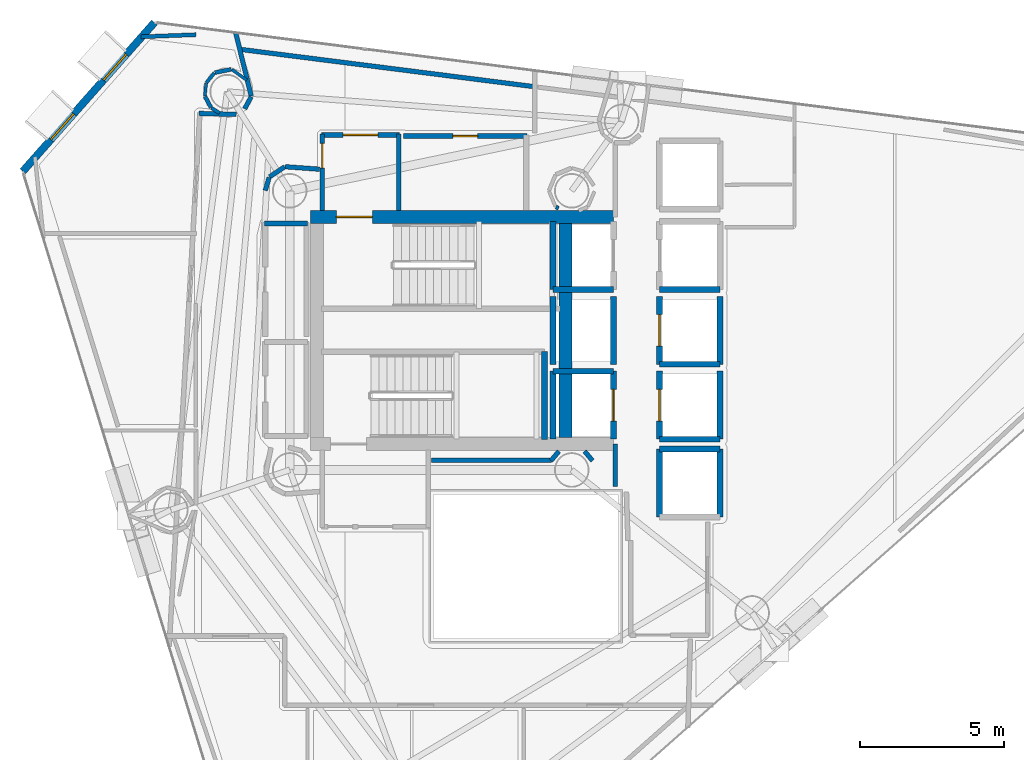
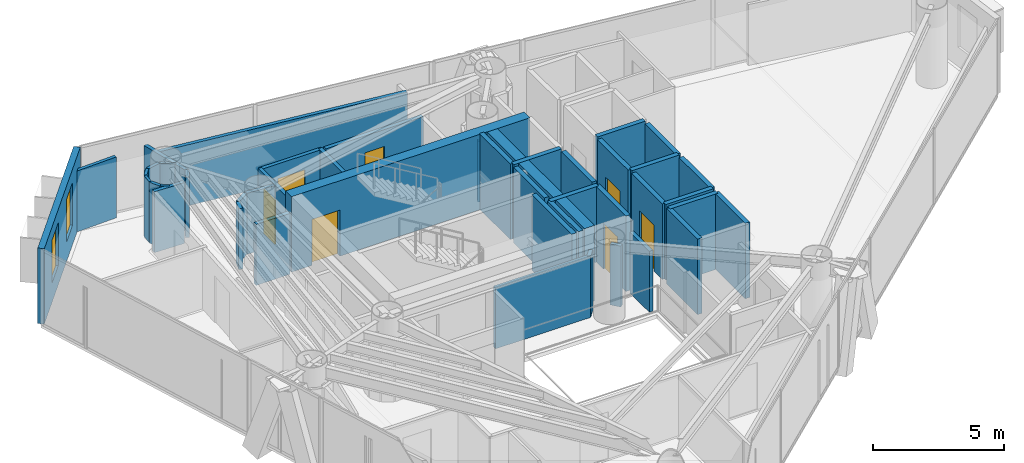
# One storey, part 19 of 23: 45 walls, 7 doors, 2 windows, 9 openings.
"""IFC4 building model written with IfcOpenShell, lengths in metres."""

from ifc_helpers import new_model, si_unit, direction, frame, frame_2d, origin, place, context, subcontext, project, spatial, rectangle, extrude, material, layer, layer_set, type_object, element, fill, save


model = new_model("IFC4")

# Units and contexts
model_context = context("Model", 3, precision=1e-05, world=origin(), true_north=direction((0.0, 1.0)))
body_context = subcontext(model_context, "Body", "Model", "MODEL_VIEW")
ifc_project = project(units=[si_unit("LENGTHUNIT", "METRE"), si_unit("AREAUNIT", "SQUARE_METRE"), si_unit("VOLUMEUNIT", "CUBIC_METRE"), si_unit("PLANEANGLEUNIT", "RADIAN"), si_unit("MASSUNIT", "GRAM", prefix="KILO")], contexts=[model_context])

# Site, building, storey
site_placement = place(None, origin())
site = spatial("IfcSite", under=ifc_project, at=site_placement, CompositionType="ELEMENT")
building_placement = place(site_placement, origin())
building = spatial("IfcBuilding", under=site, at=building_placement, Name="Qianvela Tower", CompositionType="ELEMENT")
storey_placement = place(building_placement, frame((0.0, 0.0, 218.800048828125)))
storey = spatial("IfcBuildingStorey", under=building, at=storey_placement, Name="L56", CompositionType="ELEMENT", Elevation=218.800048828125)

# Wall, openings, windows
ifc_material_1 = material(Name="Terracotta Cladding on Concrete C40", Category="masonry")
ifc_layer_1 = layer(ifc_material_1, 0.260009765625)
ifc_layer_set_1 = layer_set([ifc_layer_1], Name="Terracotta Cladding on Concrete C40")
wall_type_1 = type_object("IfcWallType", Name="TERRACOTTA-WALL-260", PredefinedType="SOLIDWALL", material=ifc_layer_set_1)
wall_1_placement = place(storey_placement, frame((23.90087890625, 39.39697265625, 0.0), z_axis=(0.0, 0.0, 1.0), x_axis=(-0.66253953577, -0.74902694447, 0.0)))
wall_1 = element("IfcWall", 1, at=wall_1_placement, inside=storey, type_object=wall_type_1, Name="L56 Terracotta Chamfer Facet Wall 3", PredefinedType="SOLIDWALL", context=body_context, shape_type="SweptSolid", body=[
    extrude(rectangle(XDim=6.90185546875, YDim=0.260009765625, at=frame_2d((3.450927734375, 0.0))), origin(), (0.0, 0.0, 1.0), 3.52001953125),
])
opening_1_placement = place(wall_1_placement, frame((1.470703125, 0.0, 0.89990234375)))
opening_1 = element("IfcOpeningElement", 2, at=opening_1_placement, cuts=wall_1, Name="Opening W-03", PredefinedType="OPENING", context=body_context, shape_type="SweptSolid", body=[
    extrude(rectangle(XDim=1.199951171875, YDim=2.0, at=frame_2d((0.60009765625, 1.0))), frame((0.0, 0.139892578125, 0.0), z_axis=(0.0, -1.0, 0.0), x_axis=(1.0, 0.0, 0.0)), (0.0, 0.0, 1.0), 0.280029296875),
])
opening_2_placement = place(wall_1_placement, frame((4.231201171875, 0.0, 0.89990234375)))
opening_2 = element("IfcOpeningElement", 3, at=opening_2_placement, cuts=wall_1, Name="Opening W-03", PredefinedType="OPENING", context=body_context, shape_type="SweptSolid", body=[
    extrude(rectangle(XDim=1.199951171875, YDim=2.0, at=frame_2d((0.60009765625, 1.0))), frame((0.0, 0.139892578125, 0.0), z_axis=(0.0, -1.0, 0.0), x_axis=(1.0, 0.0, 0.0)), (0.0, 0.0, 1.0), 0.280029296875),
])
ifc_material_2 = material(Name="Thermally Broken Aluminium and Low-E Glass", Category="aluminium")
window_type = type_object("IfcWindowType", Name="WIN-TC-1200x2000", PartitioningType="SINGLE_PANEL", PredefinedType="WINDOW", material=ifc_material_2)
window_1_placement = place(opening_1_placement, origin())
window_1 = element("IfcWindow", 4, at=window_1_placement, inside=storey, type_object=window_type, Name="L56 Chamfer Facet Window 3.1", OverallHeight=2.0, OverallWidth=1.199951171875, PartitioningType="SINGLE_PANEL", PredefinedType="WINDOW", context=body_context, shape_type="SweptSolid", body=[
    extrude(rectangle(XDim=1.199951171875, YDim=2.0, at=frame_2d((0.60009765625, 1.0))), frame((0.0, 0.030029296875, 0.0), z_axis=(0.0, -1.0, 0.0), x_axis=(1.0, 0.0, 0.0)), (0.0, 0.0, 1.0), 0.06005859375),
])
fill(opening_1, window_1)
window_2_placement = place(opening_2_placement, origin())
window_2 = element("IfcWindow", 5, at=window_2_placement, inside=storey, type_object=window_type, Name="L56 Chamfer Facet Window 3.2", OverallHeight=2.0, OverallWidth=1.199951171875, PartitioningType="SINGLE_PANEL", PredefinedType="WINDOW", context=body_context, shape_type="SweptSolid", body=[
    extrude(rectangle(XDim=1.199951171875, YDim=2.0, at=frame_2d((0.60009765625, 1.0))), frame((0.0, 0.030029296875, 0.0), z_axis=(0.0, -1.0, 0.0), x_axis=(1.0, 0.0, 0.0)), (0.0, 0.0, 1.0), 0.06005859375),
])
fill(opening_2, window_2)

# Wall, opening, door
ifc_material_3 = material(Name="Concrete C50", Category="concrete")
ifc_layer_2 = layer(ifc_material_3, 0.449951171875)
ifc_layer_set_2 = layer_set([ifc_layer_2], Name="Concrete C50")
wall_type_2 = type_object("IfcWallType", Name="WT-CORE-450", PredefinedType="SHEAR", material=ifc_layer_set_2)
wall_2_placement = place(storey_placement, frame((29.330078125, 32.64501953125, 0.0), z_axis=(0.0, 0.0, 1.0), x_axis=(1.0, 0.0, 0.0)))
wall_2 = element("IfcWall", 6, at=wall_2_placement, inside=storey, type_object=wall_type_2, Name="L56 North Core Shear Wall", PredefinedType="SHEAR", context=body_context, shape_type="SweptSolid", body=[
    extrude(rectangle(XDim=10.52001953125, YDim=0.449951171875, at=frame_2d((5.260009765625, 0.0))), origin(), (0.0, 0.0, 1.0), 3.52001953125),
])
opening_3_placement = place(wall_2_placement, frame((0.89501953125, 0.0, 0.0)))
opening_3 = element("IfcOpeningElement", 7, at=opening_3_placement, cuts=wall_2, Name="Opening D-ST1", PredefinedType="OPENING", context=body_context, shape_type="SweptSolid", body=[
    extrude(rectangle(XDim=1.25, YDim=2.14990234375, at=frame_2d((0.625, 1.074951171875))), frame((0.0, 0.23486328125, 0.0), z_axis=(0.0, -1.0, 0.0), x_axis=(1.0, 0.0, 0.0)), (0.0, 0.0, 1.0), 0.469970703125),
])
ifc_material_4 = material(Name="Galvanised Fire Steel Q355B", Category="steel")
door_type_1 = type_object("IfcDoorType", Name="DT-STAIR-FD90", OperationType="NOTDEFINED", PredefinedType="DOOR", material=ifc_material_4)
door_1_placement = place(opening_3_placement, origin())
door_1 = element("IfcDoor", 8, at=door_1_placement, inside=storey, type_object=door_type_1, Name="L56 Stair ST-1 Exit Door", OperationType="SINGLE_SWING_RIGHT", OverallHeight=2.14990234375, OverallWidth=1.25, PredefinedType="DOOR", context=body_context, shape_type="SweptSolid", body=[
    extrude(rectangle(XDim=1.25, YDim=2.14990234375, at=frame_2d((0.625, 1.074951171875))), frame((0.0, 0.02490234375, 0.0), z_axis=(0.0, -1.0, 0.0), x_axis=(1.0, 0.0, 0.0)), (0.0, 0.0, 1.0), 0.050048828125),
])
fill(opening_3, door_1)

# Wall
wall_3_placement = place(storey_placement, frame((38.179931640625, 24.97998046875, 0.0), z_axis=(0.0, 0.0, 1.0), x_axis=(0.0, 1.0, 0.0)))
element("IfcWall", 9, at=wall_3_placement, inside=storey, type_object=wall_type_2, Name="L56 East Spine Core Shear Wall", PredefinedType="SHEAR", context=body_context, shape_type="SweptSolid", body=[
    extrude(rectangle(XDim=7.43994140625, YDim=0.449951171875, at=frame_2d((3.719970703125, 0.0))), origin(), (0.0, 0.0, 1.0), 3.52001953125),
])

# Wall, opening, door
ifc_material_5 = material(Name="Fire-Rated Gypsum and Concrete Block", Category="concrete")
ifc_layer_3 = layer(ifc_material_5, 0.159912109375)
ifc_layer_set_3 = layer_set([ifc_layer_3], Name="Fire-Rated Gypsum and Concrete Block")
wall_type_3 = type_object("IfcWallType", Name="WT-CORR-160", PredefinedType="PARTITIONING", material=ifc_layer_set_3)
wall_4_placement = place(storey_placement, frame((29.73095703125, 32.85791015625, 0.0), z_axis=(0.0, 0.0, 1.0), x_axis=(0.0, 1.0, 0.0)))
wall_4 = element("IfcWall", 10, at=wall_4_placement, inside=storey, type_object=wall_type_3, Name="L56 Partition 2", PredefinedType="PARTITIONING", context=body_context, shape_type="SweptSolid", body=[
    extrude(rectangle(XDim=2.662109375, YDim=0.159912109375, at=frame_2d((1.3310546875, 0.0))), origin(), (0.0, 0.0, 1.0), 2.83984375),
])
opening_4_placement = place(wall_4_placement, frame((1.478271484375, 0.0, 0.0)))
opening_4 = element("IfcOpeningElement", 11, at=opening_4_placement, cuts=wall_4, Name="Opening D-LB2", PredefinedType="OPENING", context=body_context, shape_type="SweptSolid", body=[
    extrude(rectangle(XDim=0.860107421875, YDim=2.050048828125, at=frame_2d((0.43017578125, 1.02490234375))), frame((0.0, 0.08984375, 0.0), z_axis=(0.0, -1.0, 0.0), x_axis=(1.0, 0.0, 0.0)), (0.0, 0.0, 1.0), 0.179931640625),
])
ifc_material_6 = material(Name="Insulated Steel Fire Door Q355B", Category="steel")
door_type_2 = type_object("IfcDoorType", Name="DT-LOBBY-FD90-860", OperationType="NOTDEFINED", PredefinedType="DOOR", material=ifc_material_6)
door_2_placement = place(opening_4_placement, origin())
door_2 = element("IfcDoor", 12, at=door_2_placement, inside=storey, type_object=door_type_2, Name="L56 Door L56 Firefighting Lobby North to L56 Floor Corridor", OperationType="SINGLE_SWING_LEFT", OverallHeight=2.050048828125, OverallWidth=0.860107421875, PredefinedType="DOOR", context=body_context, shape_type="SweptSolid", body=[
    extrude(rectangle(XDim=0.860107421875, YDim=2.050048828125, at=frame_2d((0.43017578125, 1.02490234375))), frame((0.0, 0.02490234375, 0.0), z_axis=(0.0, -1.0, 0.0), x_axis=(1.0, 0.0, 0.0)), (0.0, 0.0, 1.0), 0.050048828125),
])
fill(opening_4, door_2)

wall_5_placement = place(storey_placement, frame((29.699951171875, 35.489013671875, 0.0), z_axis=(0.0, 0.0, 1.0), x_axis=(1.0, 0.0, 0.0)))
wall_5 = element("IfcWall", 13, at=wall_5_placement, inside=storey, type_object=wall_type_3, Name="L56 Partition 3", PredefinedType="PARTITIONING", context=body_context, shape_type="SweptSolid", body=[
    extrude(rectangle(XDim=2.719970703125, YDim=0.159912109375, at=frame_2d((1.35986328125, 0.0))), origin(), (0.0, 0.0, 1.0), 2.83984375),
])
opening_5_placement = place(wall_5_placement, frame((0.760009765625, 0.0, 0.0)))
opening_5 = element("IfcOpeningElement", 14, at=opening_5_placement, cuts=wall_5, Name="Opening D-LB1", PredefinedType="OPENING", context=body_context, shape_type="SweptSolid", body=[
    extrude(rectangle(XDim=1.199951171875, YDim=2.14990234375, at=frame_2d((0.60009765625, 1.074951171875))), frame((0.0, 0.08984375, 0.0), z_axis=(0.0, -1.0, 0.0), x_axis=(1.0, 0.0, 0.0)), (0.0, 0.0, 1.0), 0.179931640625),
])
ifc_material_7 = material(Name="Glazed Fire-Rated Steel Frame", Category="steel")
door_type_3 = type_object("IfcDoorType", Name="DT-LOBBY-FD90", OperationType="NOTDEFINED", PredefinedType="DOOR", material=ifc_material_7)
door_3_placement = place(opening_5_placement, origin())
door_3 = element("IfcDoor", 15, at=door_3_placement, inside=storey, type_object=door_type_3, Name="L56 Door L56 Firefighting Lobby North to L56 Floor Corridor", OperationType="SINGLE_SWING_RIGHT", OverallHeight=2.14990234375, OverallWidth=1.199951171875, PredefinedType="DOOR", context=body_context, shape_type="SweptSolid", body=[
    extrude(rectangle(XDim=1.199951171875, YDim=2.14990234375, at=frame_2d((0.60009765625, 1.074951171875))), frame((0.0, 0.02490234375, 0.0), z_axis=(0.0, -1.0, 0.0), x_axis=(1.0, 0.0, 0.0)), (0.0, 0.0, 1.0), 0.050048828125),
])
fill(opening_5, door_3)

# Walls
wall_6_placement = place(storey_placement, frame((32.388916015625, 35.52001953125, 0.0), z_axis=(0.0, 0.0, 1.0), x_axis=(0.0, -1.0, 0.0)))
element("IfcWall", 16, at=wall_6_placement, inside=storey, type_object=wall_type_3, Name="L56 Partition 4", PredefinedType="PARTITIONING", context=body_context, shape_type="SweptSolid", body=[
    extrude(rectangle(XDim=2.662109375, YDim=0.159912109375, at=frame_2d((1.3310546875, 0.0))), origin(), (0.0, 0.0, 1.0), 2.83984375),
])
wall_7_placement = place(storey_placement, frame((39.910888671875, 23.280029296875, 0.0), z_axis=(0.0, 0.0, 1.0), x_axis=(0.0, 1.0, 0.0)))
element("IfcWall", 17, at=wall_7_placement, inside=storey, type_object=wall_type_3, Name="L56 Partition 10", PredefinedType="PARTITIONING", context=body_context, shape_type="SweptSolid", body=[
    extrude(rectangle(XDim=1.47998046875, YDim=0.159912109375, at=frame_2d((0.739990234375, 0.0))), origin(), (0.0, 0.0, 1.0), 2.83984375),
])
for number, where, z_axis, x_axis, name in (
    (18, (39.12109375, 24.169921875, 0.0), (0.0, 0.0, 1.0), (-0.638008265708, 0.770029514296, 0.0), "L56 Partition 45"),
    (19, (37.953857421875, 24.501708984375, 0.0), (0.0, 0.0, 1.0), (-0.638008265708, -0.770029514296, 0.0), "L56 Partition 48"),
):
    element("IfcWall", number, at=place(storey_placement, frame(where, z_axis=z_axis, x_axis=x_axis)), inside=storey, type_object=wall_type_3, Name=name, PredefinedType="PARTITIONING", context=body_context, shape_type="SweptSolid", body=[
        extrude(rectangle(XDim=0.430908203125, YDim=0.159912109375, at=frame_2d((0.21533203125, 0.0))), origin(), (0.0, 0.0, 1.0), 2.83984375),
    ])
wall_8_placement = place(storey_placement, frame((37.70263671875, 24.180908203125, 0.0), z_axis=(0.0, 0.0, 1.0), x_axis=(-1.0, 0.0, 0.0)))
element("IfcWall", 20, at=wall_8_placement, inside=storey, type_object=wall_type_3, Name="L56 Partition 49", PredefinedType="PARTITIONING", context=body_context, shape_type="SweptSolid", body=[
    extrude(rectangle(XDim=4.172607421875, YDim=0.159912109375, at=frame_2d((2.08642578125, 0.0))), origin(), (0.0, 0.0, 1.0), 2.83984375),
])
wall_9_placement = place(storey_placement, frame((27.265380859375, 36.83935546875, 0.0), z_axis=(0.0, 0.0, 1.0), x_axis=(-0.238232940633, 0.971208044652, 0.0)))
element("IfcWall", 21, at=wall_9_placement, inside=storey, type_object=wall_type_3, Name="L56 Partition 50", PredefinedType="PARTITIONING", context=body_context, shape_type="SweptSolid", body=[
    extrude(rectangle(XDim=2.2841796875, YDim=0.159912109375, at=frame_2d((1.14208984375, 0.0))), origin(), (0.0, 0.0, 1.0), 2.83984375),
])
wall_10_placement = place(storey_placement, frame((26.822021484375, 38.470947265625, 0.0), z_axis=(0.0, 0.0, 1.0), x_axis=(0.992041870869, -0.12590840497, 0.0)))
element("IfcWall", 22, at=wall_10_placement, inside=storey, type_object=wall_type_3, Name="L56 Partition 51", PredefinedType="PARTITIONING", context=body_context, shape_type="SweptSolid", body=[
    extrude(rectangle(XDim=10.40673828125, YDim=0.159912109375, at=frame_2d((5.203369140625, 0.0))), origin(), (0.0, 0.0, 1.0), 2.83984375),
])
wall_11_placement = place(storey_placement, frame((29.64013671875, 34.298583984375, 0.0), z_axis=(0.0, 0.0, 1.0), x_axis=(-0.997392224386, 0.072171675429, 0.0)))
element("IfcWall", 23, at=wall_11_placement, inside=storey, type_object=wall_type_3, Name="L56 Partition 55", PredefinedType="PARTITIONING", context=body_context, shape_type="SweptSolid", body=[
    extrude(rectangle(XDim=1.200927734375, YDim=0.159912109375, at=frame_2d((0.6005859375, 0.0))), origin(), (0.0, 0.0, 1.0), 2.83984375),
])
wall_12_placement = place(storey_placement, frame((28.4228515625, 34.3798828125, 0.0), z_axis=(0.0, 0.0, 1.0), x_axis=(-0.831571279003, -0.555418047903, 0.0)))
element("IfcWall", 24, at=wall_12_placement, inside=storey, type_object=wall_type_3, Name="L56 Partition 56", PredefinedType="PARTITIONING", context=body_context, shape_type="SweptSolid", body=[
    extrude(rectangle(XDim=0.627685546875, YDim=0.159912109375, at=frame_2d((0.31396484375, 0.0))), origin(), (0.0, 0.0, 1.0), 2.83984375),
])
wall_13_placement = place(storey_placement, frame((27.888427734375, 34.0146484375, 0.0), z_axis=(0.0, 0.0, 1.0), x_axis=(-0.290263585829, -0.956946733492, 0.0)))
element("IfcWall", 25, at=wall_13_placement, inside=storey, type_object=wall_type_3, Name="L56 Partition 57", PredefinedType="PARTITIONING", context=body_context, shape_type="SweptSolid", body=[
    extrude(rectangle(XDim=0.47607421875, YDim=0.159912109375, at=frame_2d((0.238037109375, 0.0))), origin(), (0.0, 0.0, 1.0), 2.83984375),
])
wall_14_placement = place(storey_placement, frame((25.44921875, 36.237548828125, 0.0), z_axis=(0.0, 0.0, 1.0), x_axis=(0.999651698073, -0.026390955635, 0.0)))
element("IfcWall", 26, at=wall_14_placement, inside=storey, type_object=wall_type_3, Name="L56 Partition 73", PredefinedType="PARTITIONING", context=body_context, shape_type="SweptSolid", body=[
    extrude(rectangle(XDim=1.295166015625, YDim=0.159912109375, at=frame_2d((0.6474609375, 0.0))), origin(), (0.0, 0.0, 1.0), 2.83984375),
])
wall_15_placement = place(storey_placement, frame((27.0380859375, 36.397705078125, 0.0), z_axis=(0.0, 0.0, 1.0), x_axis=(0.471865548338, 0.881670519123, 0.0)))
element("IfcWall", 27, at=wall_15_placement, inside=storey, type_object=wall_type_3, Name="L56 Partition 74", PredefinedType="PARTITIONING", context=body_context, shape_type="SweptSolid", body=[
    extrude(rectangle(XDim=0.47607421875, YDim=0.159912109375, at=frame_2d((0.238037109375, 0.0))), origin(), (0.0, 0.0, 1.0), 2.83984375),
])
ifc_material_8 = material(Name="Lightweight Gypsum Room Partition")
ifc_layer_4 = layer(ifc_material_8, 0.10498046875)
ifc_layer_set_4 = layer_set([ifc_layer_4], Name="Lightweight Gypsum Room Partition")
wall_type_4 = type_object("IfcWallType", Name="WT-PART-105", PredefinedType="PARTITIONING", material=ifc_layer_set_4)
wall_16_placement = place(storey_placement, frame((27.105224609375, 37.394287109375, 0.0), z_axis=(0.0, 0.0, 1.0), x_axis=(-0.809610443394, 0.586967571461, 0.0)))
element("IfcWall", 28, at=wall_16_placement, inside=storey, type_object=wall_type_4, Name="L56 Partition 131", PredefinedType="PARTITIONING", context=body_context, shape_type="SweptSolid", body=[
    extrude(rectangle(XDim=0.627197265625, YDim=0.10498046875, at=frame_2d((0.3134765625, 0.0))), origin(), (0.0, 0.0, 1.0), 2.83984375),
])
wall_17_placement = place(storey_placement, frame((25.697998046875, 37.285888671875, 0.0), z_axis=(0.0, 0.0, 1.0), x_axis=(-0.097915215421, -0.995194760129, 0.0)))
element("IfcWall", 29, at=wall_17_placement, inside=storey, type_object=wall_type_4, Name="L56 Partition 134", PredefinedType="PARTITIONING", context=body_context, shape_type="SweptSolid", body=[
    extrude(rectangle(XDim=0.44140625, YDim=0.10498046875, at=frame_2d((0.220703125, 0.0))), origin(), (0.0, 0.0, 1.0), 2.83984375),
])
ifc_material_9 = material(Name="Insulated Gypsum Stud Partition")
ifc_layer_5 = layer(ifc_material_9, 0.1201171875)
ifc_layer_set_5 = layer_set([ifc_layer_5], Name="Insulated Gypsum Stud Partition")
wall_type_5 = type_object("IfcWallType", Name="WT-PART-120", PredefinedType="PARTITIONING", material=ifc_layer_set_5)
wall_18_placement = place(storey_placement, frame((25.98486328125, 37.6435546875, 0.0), z_axis=(0.0, 0.0, 1.0), x_axis=(-0.634562438402, -0.772871601088, 0.0)))
element("IfcWall", 30, at=wall_18_placement, inside=storey, type_object=wall_type_5, Name="L56 Partition 133", PredefinedType="PARTITIONING", context=body_context, shape_type="SweptSolid", body=[
    extrude(rectangle(XDim=0.44140625, YDim=0.1201171875, at=frame_2d((0.220703125, 0.0))), origin(), (0.0, 0.0, 1.0), 2.83984375),
])
wall_19_placement = place(storey_placement, frame((25.87744140625, 36.42822265625, 0.0), z_axis=(0.0, 0.0, 1.0), x_axis=(0.852322728649, -0.523016219853, 0.0)))
element("IfcWall", 31, at=wall_19_placement, inside=storey, type_object=wall_type_5, Name="L56 Partition 136", PredefinedType="PARTITIONING", context=body_context, shape_type="SweptSolid", body=[
    extrude(rectangle(XDim=0.34033203125, YDim=0.1201171875, at=frame_2d((0.170166015625, 0.0))), origin(), (0.0, 0.0, 1.0), 2.83984375),
])

# Wall, opening, door
ifc_material_10 = material(Name="Moisture-Resistant Acoustic Plumbing Wall")
ifc_layer_6 = layer(ifc_material_10, 0.175048828125)
ifc_layer_set_6 = layer_set([ifc_layer_6], Name="Moisture-Resistant Acoustic Plumbing Wall")
wall_type_6 = type_object("IfcWallType", Name="WT-PLUMB-175", PredefinedType="PLUMBINGWALL", material=ifc_layer_set_6)
wall_20_placement = place(storey_placement, frame((32.550048828125, 35.448974609375, 0.0), z_axis=(0.0, 0.0, 1.0), x_axis=(1.0, 0.0, 0.0)))
wall_20 = element("IfcWall", 32, at=wall_20_placement, inside=storey, type_object=wall_type_6, Name="L56 Partition 22", PredefinedType="PLUMBINGWALL", context=body_context, shape_type="SweptSolid", body=[
    extrude(rectangle(XDim=4.300048828125, YDim=0.175048828125, at=frame_2d((2.14990234375, 0.0))), origin(), (0.0, 0.0, 1.0), 2.83984375),
])
opening_6_placement = place(wall_20_placement, frame((1.719970703125, 0.0, 0.0)))
opening_6 = element("IfcOpeningElement", 33, at=opening_6_placement, cuts=wall_20, Name="Opening D-WC1", PredefinedType="OPENING", context=body_context, shape_type="SweptSolid", body=[
    extrude(rectangle(XDim=0.860107421875, YDim=2.050048828125, at=frame_2d((0.43017578125, 1.02490234375))), frame((0.0, 0.097412109375, 0.0), z_axis=(0.0, -1.0, 0.0), x_axis=(1.0, 0.0, 0.0)), (0.0, 0.0, 1.0), 0.195068359375),
])
ifc_material_11 = material(Name="Moisture-Sealed Acoustic Timber Door", Category="wood")
door_type_4 = type_object("IfcDoorType", Name="DT-WC-860", OperationType="NOTDEFINED", PredefinedType="DOOR", material=ifc_material_11)
door_4_placement = place(opening_6_placement, origin())
door_4 = element("IfcDoor", 34, at=door_4_placement, inside=storey, type_object=door_type_4, Name="L56 Door L56 Accessible WC to L56 Floor Corridor", OperationType="SINGLE_SWING_LEFT", OverallHeight=2.050048828125, OverallWidth=0.860107421875, PredefinedType="DOOR", context=body_context, shape_type="SweptSolid", body=[
    extrude(rectangle(XDim=0.860107421875, YDim=2.050048828125, at=frame_2d((0.43017578125, 1.02490234375))), frame((0.0, 0.02490234375, 0.0), z_axis=(0.0, -1.0, 0.0), x_axis=(1.0, 0.0, 0.0)), (0.0, 0.0, 1.0), 0.050048828125),
])
fill(opening_6, door_4)

# Walls
wall_21_placement = place(storey_placement, frame((27.719970703125, 32.4189453125, 0.0), z_axis=(0.0, 0.0, 1.0), x_axis=(1.0, 0.0, 0.0)))
element("IfcWall", 35, at=wall_21_placement, inside=storey, type_object=wall_type_6, Name="L56 Partition 29", PredefinedType="PLUMBINGWALL", context=body_context, shape_type="SweptSolid", body=[
    extrude(rectangle(XDim=1.5, YDim=0.175048828125, at=frame_2d((0.75, 0.0))), origin(), (0.0, 0.0, 1.0), 2.83984375),
])
ifc_material_12 = material(Name="Acoustic Double Gypsum Stud Partition")
ifc_layer_7 = layer(ifc_material_12, 0.139892578125)
ifc_layer_set_7 = layer_set([ifc_layer_7], Name="Acoustic Double Gypsum Stud Partition")
wall_type_7 = type_object("IfcWallType", Name="WT-ROOM-140", PredefinedType="PARTITIONING", material=ifc_layer_set_7)
wall_22_placement = place(storey_placement, frame((37.8505859375, 32.98388671875, 0.0), z_axis=(0.0, 0.0, 1.0), x_axis=(0.924628481531, -0.380870281252, 0.0)))
element("IfcWall", 36, at=wall_22_placement, inside=storey, type_object=wall_type_7, Name="L56 Partition 120", PredefinedType="PARTITIONING", context=body_context, shape_type="SweptSolid", body=[
    extrude(rectangle(XDim=0.101806640625, YDim=0.139892578125, at=frame_2d((0.05078125, 0.0))), origin(), (0.0, 0.0, 1.0), 2.83984375),
])
wall_23_placement = place(storey_placement, frame((26.5732421875, 37.767822265625, 0.0), z_axis=(0.0, 0.0, 1.0), x_axis=(-0.980773892286, -0.195147565217, 0.0)))
element("IfcWall", 37, at=wall_23_placement, inside=storey, type_object=wall_type_7, Name="L56 Partition 132", PredefinedType="PARTITIONING", context=body_context, shape_type="SweptSolid", body=[
    extrude(rectangle(XDim=0.581787109375, YDim=0.139892578125, at=frame_2d((0.291015625, 0.0))), origin(), (0.0, 0.0, 1.0), 2.83984375),
])
wall_24_placement = place(storey_placement, frame((25.658203125, 36.8291015625, 0.0), z_axis=(0.0, 0.0, 1.0), x_axis=(0.471392110461, -0.881923737177, 0.0)))
element("IfcWall", 38, at=wall_24_placement, inside=storey, type_object=wall_type_7, Name="L56 Partition 135", PredefinedType="PARTITIONING", context=body_context, shape_type="SweptSolid", body=[
    extrude(rectangle(XDim=0.441162109375, YDim=0.139892578125, at=frame_2d((0.220703125, 0.0))), origin(), (0.0, 0.0, 1.0), 2.83984375),
])
wall_25_placement = place(storey_placement, frame((23.439208984375, 38.900146484375, 0.0), z_axis=(0.0, 0.0, 1.0), x_axis=(0.999290219192, 0.037670383952, 0.0)))
element("IfcWall", 39, at=wall_25_placement, inside=storey, type_object=wall_type_7, Name="L56 Partition 141 seg 1", PredefinedType="PARTITIONING", context=body_context, shape_type="SweptSolid", body=[
    extrude(rectangle(XDim=1.905517578125, YDim=0.139892578125, at=frame_2d((0.95263671875, 0.0))), origin(), (0.0, 0.0, 1.0), 2.83984375),
])
ifc_material_13 = material(Name="Concrete C50", Category="concrete")
ifc_layer_8 = layer(ifc_material_13, 0.199951171875)
ifc_layer_set_8 = layer_set([ifc_layer_8], Name="Concrete C50")
wall_type_8 = type_object("IfcWallType", Name="WT-SHAFT-200", PredefinedType="SOLIDWALL", material=ifc_layer_set_8)
wall_26_placement = place(storey_placement, frame((37.449951171875, 24.89990234375, 0.0), z_axis=(0.0, 0.0, 1.0), x_axis=(0.0, 1.0, 0.0)))
element("IfcWall", 40, at=wall_26_placement, inside=storey, type_object=wall_type_8, Name="L56 Stair ST-2 East Wall", PredefinedType="SOLIDWALL", context=body_context, shape_type="SweptSolid", body=[
    extrude(rectangle(XDim=3.06005859375, YDim=0.199951171875, at=frame_2d((1.530029296875, 0.0))), origin(), (0.0, 0.0, 1.0), 3.52001953125),
])
wall_27_placement = place(storey_placement, frame((37.75, 30.1201171875, 0.0), z_axis=(0.0, 0.0, 1.0), x_axis=(0.0, 1.0, 0.0)))
element("IfcWall", 41, at=wall_27_placement, inside=storey, type_object=wall_type_8, Name="L56 Lift FL-1 W Shaft Wall", PredefinedType="SOLIDWALL", context=body_context, shape_type="SweptSolid", body=[
    extrude(rectangle(XDim=2.35986328125, YDim=0.199951171875, at=frame_2d((1.179931640625, 0.0))), origin(), (0.0, 0.0, 1.0), 3.52001953125),
])
wall_28_placement = place(storey_placement, frame((37.75, 30.1201171875, 0.0), z_axis=(0.0, 0.0, 1.0), x_axis=(1.0, 0.0, 0.0)))
element("IfcWall", 42, at=wall_28_placement, inside=storey, type_object=wall_type_8, Name="L56 Lift FL-1 S Shaft Wall", PredefinedType="SOLIDWALL", context=body_context, shape_type="SweptSolid", body=[
    extrude(rectangle(XDim=2.10009765625, YDim=0.199951171875, at=frame_2d((1.050048828125, 0.0))), origin(), (0.0, 0.0, 1.0), 3.52001953125),
])

# Wall, opening, door
wall_29_placement = place(storey_placement, frame((39.85009765625, 24.919921875, 0.0), z_axis=(0.0, 0.0, 1.0), x_axis=(0.0, 1.0, 0.0)))
wall_29 = element("IfcWall", 43, at=wall_29_placement, inside=storey, type_object=wall_type_8, Name="L56 Lift FL-2 E Shaft Wall", PredefinedType="SOLIDWALL", context=body_context, shape_type="SweptSolid", body=[
    extrude(rectangle(XDim=2.360107421875, YDim=0.199951171875, at=frame_2d((1.18017578125, 0.0))), origin(), (0.0, 0.0, 1.0), 3.52001953125),
])
opening_7_placement = place(wall_29_placement, frame((0.6298828125, 0.0, 0.0)))
opening_7 = element("IfcOpeningElement", 44, at=opening_7_placement, cuts=wall_29, Name="Opening LD-01", PredefinedType="OPENING", context=body_context, shape_type="SweptSolid", body=[
    extrude(rectangle(XDim=1.10009765625, YDim=2.14990234375, at=frame_2d((0.550048828125, 1.074951171875))), frame((0.0, 0.10986328125, 0.0), z_axis=(0.0, -1.0, 0.0), x_axis=(1.0, 0.0, 0.0)), (0.0, 0.0, 1.0), 0.219970703125),
])
ifc_material_14 = material(Name="Brushed Stainless Steel Lift Landing Door", Category="steel")
door_type_5 = type_object("IfcDoorType", Name="DT-LIFT-SLIDE-1100", OperationType="SLIDING_TO_LEFT", PredefinedType="DOOR", material=ifc_material_14)
door_5_placement = place(opening_7_placement, origin())
door_5 = element("IfcDoor", 45, at=door_5_placement, inside=storey, type_object=door_type_5, Name="L56 Lift FL-2 Sliding Landing Door", OperationType="SLIDING_TO_LEFT", OverallHeight=2.14990234375, OverallWidth=1.10009765625, PredefinedType="DOOR", context=body_context, shape_type="SweptSolid", body=[
    extrude(rectangle(XDim=1.10009765625, YDim=2.14990234375, at=frame_2d((0.550048828125, 1.074951171875))), frame((0.0, 0.02490234375, 0.0), z_axis=(0.0, -1.0, 0.0), x_axis=(1.0, 0.0, 0.0)), (0.0, 0.0, 1.0), 0.050048828125),
])
fill(opening_7, door_5)

# Walls
wall_30_placement = place(storey_placement, frame((37.75, 24.919921875, 0.0), z_axis=(0.0, 0.0, 1.0), x_axis=(0.0, 1.0, 0.0)))
element("IfcWall", 46, at=wall_30_placement, inside=storey, type_object=wall_type_8, Name="L56 Lift FL-2 W Shaft Wall", PredefinedType="SOLIDWALL", context=body_context, shape_type="SweptSolid", body=[
    extrude(rectangle(XDim=2.360107421875, YDim=0.199951171875, at=frame_2d((1.18017578125, 0.0))), origin(), (0.0, 0.0, 1.0), 3.52001953125),
])
for number, where, z_axis, x_axis, name in (
    (47, (37.75, 27.280029296875, 0.0), (0.0, 0.0, 1.0), (1.0, 0.0, 0.0), "L56 Lift FL-2 N Shaft Wall"),
    (48, (41.449951171875, 30.1201171875, 0.0), (0.0, 0.0, 1.0), (1.0, 0.0, 0.0), "L56 Lift PL-M1 S Shaft Wall"),
):
    element("IfcWall", number, at=place(storey_placement, frame(where, z_axis=z_axis, x_axis=x_axis)), inside=storey, type_object=wall_type_8, Name=name, PredefinedType="SOLIDWALL", context=body_context, shape_type="SweptSolid", body=[
        extrude(rectangle(XDim=2.10009765625, YDim=0.199951171875, at=frame_2d((1.050048828125, 0.0))), origin(), (0.0, 0.0, 1.0), 3.52001953125),
    ])
wall_31_placement = place(storey_placement, frame((43.550048828125, 27.52001953125, 0.0), z_axis=(0.0, 0.0, 1.0), x_axis=(0.0, 1.0, 0.0)))
element("IfcWall", 49, at=wall_31_placement, inside=storey, type_object=wall_type_8, Name="L56 Lift PL-M2 E Shaft Wall", PredefinedType="SOLIDWALL", context=body_context, shape_type="SweptSolid", body=[
    extrude(rectangle(XDim=2.35986328125, YDim=0.199951171875, at=frame_2d((1.179931640625, 0.0))), origin(), (0.0, 0.0, 1.0), 3.52001953125),
])

# Wall, opening, door
wall_32_placement = place(storey_placement, frame((41.449951171875, 27.52001953125, 0.0), z_axis=(0.0, 0.0, 1.0), x_axis=(0.0, 1.0, 0.0)))
wall_32 = element("IfcWall", 50, at=wall_32_placement, inside=storey, type_object=wall_type_8, Name="L56 Lift PL-M2 W Shaft Wall", PredefinedType="SOLIDWALL", context=body_context, shape_type="SweptSolid", body=[
    extrude(rectangle(XDim=2.35986328125, YDim=0.199951171875, at=frame_2d((1.179931640625, 0.0))), origin(), (0.0, 0.0, 1.0), 3.52001953125),
])
opening_8_placement = place(wall_32_placement, frame((0.6298828125, 0.0, 0.0)))
opening_8 = element("IfcOpeningElement", 51, at=opening_8_placement, cuts=wall_32, Name="Opening LD-01", PredefinedType="OPENING", context=body_context, shape_type="SweptSolid", body=[
    extrude(rectangle(XDim=1.10009765625, YDim=2.14990234375, at=frame_2d((0.550048828125, 1.074951171875))), frame((0.0, 0.10986328125, 0.0), z_axis=(0.0, -1.0, 0.0), x_axis=(1.0, 0.0, 0.0)), (0.0, 0.0, 1.0), 0.219970703125),
])
door_6_placement = place(opening_8_placement, origin())
door_6 = element("IfcDoor", 52, at=door_6_placement, inside=storey, type_object=door_type_5, Name="L56 Lift PL-M2 Sliding Landing Door", OperationType="SLIDING_TO_LEFT", OverallHeight=2.14990234375, OverallWidth=1.10009765625, PredefinedType="DOOR", context=body_context, shape_type="SweptSolid", body=[
    extrude(rectangle(XDim=1.10009765625, YDim=2.14990234375, at=frame_2d((0.550048828125, 1.074951171875))), frame((0.0, 0.02490234375, 0.0), z_axis=(0.0, -1.0, 0.0), x_axis=(1.0, 0.0, 0.0)), (0.0, 0.0, 1.0), 0.050048828125),
])
fill(opening_8, door_6)

# Walls
wall_33_placement = place(storey_placement, frame((41.449951171875, 27.52001953125, 0.0), z_axis=(0.0, 0.0, 1.0), x_axis=(1.0, 0.0, 0.0)))
element("IfcWall", 53, at=wall_33_placement, inside=storey, type_object=wall_type_8, Name="L56 Lift PL-M2 S Shaft Wall", PredefinedType="SOLIDWALL", context=body_context, shape_type="SweptSolid", body=[
    extrude(rectangle(XDim=2.10009765625, YDim=0.199951171875, at=frame_2d((1.050048828125, 0.0))), origin(), (0.0, 0.0, 1.0), 3.52001953125),
])
wall_34_placement = place(storey_placement, frame((43.550048828125, 24.919921875, 0.0), z_axis=(0.0, 0.0, 1.0), x_axis=(0.0, 1.0, 0.0)))
element("IfcWall", 54, at=wall_34_placement, inside=storey, type_object=wall_type_8, Name="L56 Lift PL-M3 E Shaft Wall", PredefinedType="SOLIDWALL", context=body_context, shape_type="SweptSolid", body=[
    extrude(rectangle(XDim=2.360107421875, YDim=0.199951171875, at=frame_2d((1.18017578125, 0.0))), origin(), (0.0, 0.0, 1.0), 3.52001953125),
])

# Wall, opening, door
wall_35_placement = place(storey_placement, frame((41.449951171875, 24.919921875, 0.0), z_axis=(0.0, 0.0, 1.0), x_axis=(0.0, 1.0, 0.0)))
wall_35 = element("IfcWall", 55, at=wall_35_placement, inside=storey, type_object=wall_type_8, Name="L56 Lift PL-M3 W Shaft Wall", PredefinedType="SOLIDWALL", context=body_context, shape_type="SweptSolid", body=[
    extrude(rectangle(XDim=2.360107421875, YDim=0.199951171875, at=frame_2d((1.18017578125, 0.0))), origin(), (0.0, 0.0, 1.0), 3.52001953125),
])
opening_9_placement = place(wall_35_placement, frame((0.6298828125, 0.0, 0.0)))
opening_9 = element("IfcOpeningElement", 56, at=opening_9_placement, cuts=wall_35, Name="Opening LD-01", PredefinedType="OPENING", context=body_context, shape_type="SweptSolid", body=[
    extrude(rectangle(XDim=1.10009765625, YDim=2.14990234375, at=frame_2d((0.550048828125, 1.074951171875))), frame((0.0, 0.10986328125, 0.0), z_axis=(0.0, -1.0, 0.0), x_axis=(1.0, 0.0, 0.0)), (0.0, 0.0, 1.0), 0.219970703125),
])
door_7_placement = place(opening_9_placement, origin())
door_7 = element("IfcDoor", 57, at=door_7_placement, inside=storey, type_object=door_type_5, Name="L56 Lift PL-M3 Sliding Landing Door", OperationType="SLIDING_TO_LEFT", OverallHeight=2.14990234375, OverallWidth=1.10009765625, PredefinedType="DOOR", context=body_context, shape_type="SweptSolid", body=[
    extrude(rectangle(XDim=1.10009765625, YDim=2.14990234375, at=frame_2d((0.550048828125, 1.074951171875))), frame((0.0, 0.02490234375, 0.0), z_axis=(0.0, -1.0, 0.0), x_axis=(1.0, 0.0, 0.0)), (0.0, 0.0, 1.0), 0.050048828125),
])
fill(opening_9, door_7)

# Walls
wall_36_placement = place(storey_placement, frame((41.449951171875, 24.919921875, 0.0), z_axis=(0.0, 0.0, 1.0), x_axis=(1.0, 0.0, 0.0)))
element("IfcWall", 58, at=wall_36_placement, inside=storey, type_object=wall_type_8, Name="L56 Lift PL-M3 S Shaft Wall", PredefinedType="SOLIDWALL", context=body_context, shape_type="SweptSolid", body=[
    extrude(rectangle(XDim=2.10009765625, YDim=0.199951171875, at=frame_2d((1.050048828125, 0.0))), origin(), (0.0, 0.0, 1.0), 3.52001953125),
])
for number, where, z_axis, x_axis, name in (
    (59, (39.85009765625, 27.52001953125, 0.0), (0.0, 0.0, 1.0), (0.0, 1.0, 0.0), "L56 Lift PL-H1 E Shaft Wall"),
    (60, (37.75, 27.52001953125, 0.0), (0.0, 0.0, 1.0), (0.0, 1.0, 0.0), "L56 Lift PL-H1 W Shaft Wall"),
):
    element("IfcWall", number, at=place(storey_placement, frame(where, z_axis=z_axis, x_axis=x_axis)), inside=storey, type_object=wall_type_8, Name=name, PredefinedType="SOLIDWALL", context=body_context, shape_type="SweptSolid", body=[
        extrude(rectangle(XDim=2.35986328125, YDim=0.199951171875, at=frame_2d((1.179931640625, 0.0))), origin(), (0.0, 0.0, 1.0), 3.52001953125),
    ])
for number, where, z_axis, x_axis, name in (
    (61, (43.550048828125, 22.219970703125, 0.0), (0.0, 0.0, 1.0), (0.0, 1.0, 0.0), "L56 Lift PL-H2 E Shaft Wall"),
    (62, (41.449951171875, 22.219970703125, 0.0), (0.0, 0.0, 1.0), (0.0, 1.0, 0.0), "L56 Lift PL-H2 W Shaft Wall"),
):
    element("IfcWall", number, at=place(storey_placement, frame(where, z_axis=z_axis, x_axis=x_axis)), inside=storey, type_object=wall_type_8, Name=name, PredefinedType="SOLIDWALL", context=body_context, shape_type="SweptSolid", body=[
        extrude(rectangle(XDim=2.360107421875, YDim=0.199951171875, at=frame_2d((1.18017578125, 0.0))), origin(), (0.0, 0.0, 1.0), 3.52001953125),
    ])
wall_37_placement = place(storey_placement, frame((41.449951171875, 24.580078125, 0.0), z_axis=(0.0, 0.0, 1.0), x_axis=(1.0, 0.0, 0.0)))
element("IfcWall", 63, at=wall_37_placement, inside=storey, type_object=wall_type_8, Name="L56 Lift PL-H2 N Shaft Wall", PredefinedType="SOLIDWALL", context=body_context, shape_type="SweptSolid", body=[
    extrude(rectangle(XDim=2.10009765625, YDim=0.199951171875, at=frame_2d((1.050048828125, 0.0))), origin(), (0.0, 0.0, 1.0), 3.52001953125),
])

save(model, "model.ifc")
